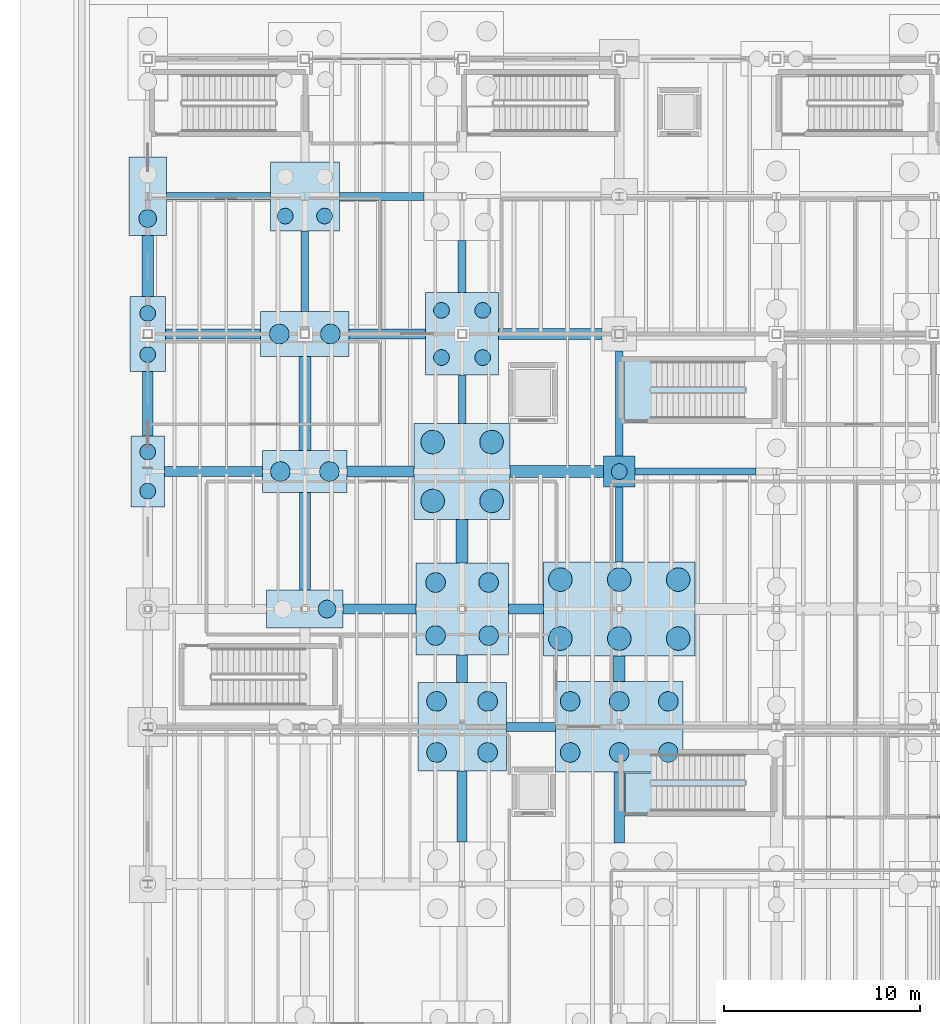
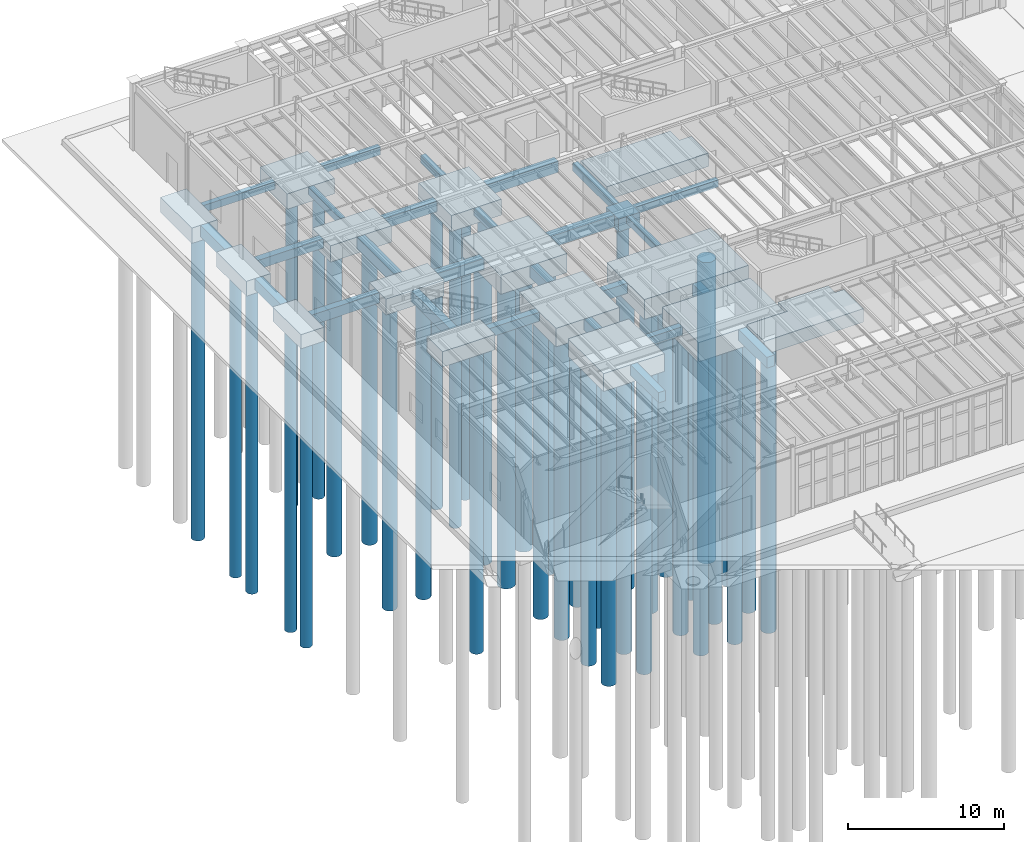
# One storey, part 3 of 86: 42 footings, 41 piles.
"""IFC4 building model written with IfcOpenShell, lengths in metres."""

from ifc_helpers import new_model, si_unit, direction, frame, origin, origin_2d, place, context, subcontext, project, spatial, polyline, rectangle, circle, outline, extrude, material, material_profile, profile_set, type_object, element, save


model = new_model("IFC4")

# Units and contexts
model_context = context("Model", 3, precision=1e-05, world=origin(), true_north=direction((0.0, 1.0)))
body_context = subcontext(model_context, "Body", "Model", "MODEL_VIEW")
ifc_project = project(units=[si_unit("LENGTHUNIT", "METRE"), si_unit("AREAUNIT", "SQUARE_METRE"), si_unit("VOLUMEUNIT", "CUBIC_METRE"), si_unit("PLANEANGLEUNIT", "RADIAN"), si_unit("MASSUNIT", "GRAM", prefix="KILO"), si_unit("THERMODYNAMICTEMPERATUREUNIT", "KELVIN"), si_unit("POWERUNIT", "WATT")], contexts=[model_context])

# Site, building, storey
site_placement = place(None, origin())
site = spatial("IfcSite", under=ifc_project, at=site_placement, CompositionType="ELEMENT")
building_placement = place(site_placement, origin())
building = spatial("IfcBuilding", under=site, at=building_placement, Name="Zhenchuan Central Fire Station", CompositionType="ELEMENT")
storey_placement = place(building_placement, frame((0.0, 0.0, 0.449951171875)))
storey = spatial("IfcBuildingStorey", under=building, at=storey_placement, Name="L01", CompositionType="ELEMENT", Elevation=0.449951171875)

# Footings
ifc_material_1 = material(Name="Concrete C35/45", Category="concrete")
footing_type_1 = type_object("IfcFootingType", Name="FB-380x550", PredefinedType="FOOTING_BEAM", material=ifc_material_1)
footing_1_placement = place(storey_placement, frame((0.0, 0.0, -1.0)))
element("IfcFooting", 1, at=footing_1_placement, inside=storey, type_object=footing_type_1, Name="Foundation Tie Beam FB-X-071", PredefinedType="FOOTING_BEAM", context=body_context, shape_type="SweptSolid", body=[
    extrude(outline(polyline([(24.800048828125, 35.31005859375), (30.949951171875, 35.31005859375), (30.949951171875, 35.68994140625), (24.800048828125, 35.68994140625), (24.800048828125, 35.31005859375)])), origin(), (0.0, 0.0, 1.0), 0.550048828125),
])
footing_2_placement = place(storey_placement, frame((0.0, 0.0, -1.0)))
element("IfcFooting", 2, at=footing_2_placement, inside=storey, type_object=footing_type_1, Name="Foundation Tie Beam FB-X-099", PredefinedType="FOOTING_BEAM", context=body_context, shape_type="SweptSolid", body=[
    extrude(outline(polyline([(0.949951171875, 49.31005859375), (6.25, 49.31005859375), (6.25, 49.68994140625), (0.949951171875, 49.68994140625), (0.949951171875, 49.31005859375)])), origin(), (0.0, 0.0, 1.0), 0.550048828125),
])
footing_3_placement = place(storey_placement, frame((0.0, 0.0, -1.0)))
element("IfcFooting", 3, at=footing_3_placement, inside=storey, type_object=footing_type_1, Name="Foundation Tie Beam FB-Y-134", PredefinedType="FOOTING_BEAM", context=body_context, shape_type="SweptSolid", body=[
    extrude(outline(polyline([(7.81005859375, 43.64990234375), (8.18994140625, 43.64990234375), (8.18994140625, 47.75), (7.81005859375, 47.75), (7.81005859375, 43.64990234375)])), origin(), (0.0, 0.0, 1.0), 0.550048828125),
])
footing_4_placement = place(storey_placement, frame((0.0, 0.0, -1.0)))
element("IfcFooting", 4, at=footing_4_placement, inside=storey, type_object=footing_type_1, Name="Foundation Tie Beam FB-Y-141", PredefinedType="FOOTING_BEAM", context=body_context, shape_type="SweptSolid", body=[
    extrude(outline(polyline([(15.81005859375, 37.949951171875), (16.18994140625, 37.949951171875), (16.18994140625, 40.39990234375), (15.81005859375, 40.39990234375), (15.81005859375, 37.949951171875)])), origin(), (0.0, 0.0, 1.0), 0.550048828125),
])
footing_5_placement = place(storey_placement, frame((0.0, 0.0, -1.0)))
element("IfcFooting", 5, at=footing_5_placement, inside=storey, type_object=footing_type_1, Name="Foundation Tie Beam FB-Y-148", PredefinedType="FOOTING_BEAM", context=body_context, shape_type="SweptSolid", body=[
    extrude(outline(polyline([(23.81005859375, 30.89990234375), (24.18994140625, 30.89990234375), (24.18994140625, 34.699951171875), (23.81005859375, 34.699951171875), (23.81005859375, 30.89990234375)])), origin(), (0.0, 0.0, 1.0), 0.550048828125),
])
footing_type_2 = type_object("IfcFootingType", Name="FB-400x600", PredefinedType="FOOTING_BEAM", material=ifc_material_1)
footing_6_placement = place(storey_placement, frame((0.0, 0.0, -1.050048828125)))
element("IfcFooting", 6, at=footing_6_placement, inside=storey, type_object=footing_type_2, Name="Foundation Tie Beam FB-X-100", PredefinedType="FOOTING_BEAM", context=body_context, shape_type="SweptSolid", body=[
    extrude(outline(polyline([(9.75, 49.300048828125), (14.050048828125, 49.300048828125), (14.050048828125, 49.699951171875), (9.75, 49.699951171875), (9.75, 49.300048828125)])), origin(), (0.0, 0.0, 1.0), 0.60009765625),
])
footing_7_placement = place(storey_placement, frame((0.0, 0.0, -1.050048828125)))
element("IfcFooting", 7, at=footing_7_placement, inside=storey, type_object=footing_type_2, Name="Foundation Tie Beam FB-Y-142", PredefinedType="FOOTING_BEAM", context=body_context, shape_type="SweptSolid", body=[
    extrude(outline(polyline([(15.800048828125, 44.60009765625), (16.199951171875, 44.60009765625), (16.199951171875, 47.25), (15.800048828125, 47.25), (15.800048828125, 44.60009765625)])), origin(), (0.0, 0.0, 1.0), 0.60009765625),
])
footing_8_placement = place(storey_placement, frame((0.0, 0.0, -1.050048828125)))
element("IfcFooting", 8, at=footing_8_placement, inside=storey, type_object=footing_type_2, Name="Foundation Tie Beam FB-Y-149", PredefinedType="FOOTING_BEAM", context=body_context, shape_type="SweptSolid", body=[
    extrude(outline(polyline([(23.800048828125, 36.300048828125), (24.199951171875, 36.300048828125), (24.199951171875, 41.625), (23.800048828125, 41.625), (23.800048828125, 36.300048828125)])), origin(), (0.0, 0.0, 1.0), 0.60009765625),
])
footing_type_3 = type_object("IfcFootingType", Name="FB-450x650", PredefinedType="FOOTING_BEAM", material=ifc_material_1)
footing_9_placement = place(storey_placement, frame((0.0, 0.0, -1.099853515625)))
element("IfcFooting", 9, at=footing_9_placement, inside=storey, type_object=footing_type_3, Name="Foundation Tie Beam FB-X-052", PredefinedType="FOOTING_BEAM", context=body_context, shape_type="SweptSolid", body=[
    extrude(outline(polyline([(18.25, 22.27490234375), (20.75, 22.27490234375), (20.75, 22.72509765625), (18.25, 22.72509765625), (18.25, 22.27490234375)])), origin(), (0.0, 0.0, 1.0), 0.64990234375),
])
footing_type_4 = type_object("IfcFootingType", Name="FB-500x700", PredefinedType="FOOTING_BEAM", material=ifc_material_1)
footing_10_placement = place(storey_placement, frame((0.0, 0.0, -1.14990234375)))
element("IfcFooting", 10, at=footing_10_placement, inside=storey, type_object=footing_type_4, Name="Foundation Tie Beam FB-X-060", PredefinedType="FOOTING_BEAM", context=body_context, shape_type="SweptSolid", body=[
    extrude(outline(polyline([(9.949951171875, 28.25), (13.64990234375, 28.25), (13.64990234375, 28.75), (9.949951171875, 28.75), (9.949951171875, 28.25)])), origin(), (0.0, 0.0, 1.0), 0.699951171875),
])
footing_11_placement = place(storey_placement, frame((0.0, 0.0, -1.14990234375)))
element("IfcFooting", 11, at=footing_11_placement, inside=storey, type_object=footing_type_4, Name="Foundation Tie Beam FB-X-088", PredefinedType="FOOTING_BEAM", context=body_context, shape_type="SweptSolid", body=[
    extrude(outline(polyline([(0.89990234375, 42.25), (5.75, 42.25), (5.75, 42.75), (0.89990234375, 42.75), (0.89990234375, 42.25)])), origin(), (0.0, 0.0, 1.0), 0.699951171875),
])
footing_type_5 = type_object("IfcFootingType", Name="FB-500x800", PredefinedType="FOOTING_BEAM", material=ifc_material_1)
footing_12_placement = place(storey_placement, frame((0.0, 0.0, -1.25)))
element("IfcFooting", 12, at=footing_12_placement, inside=storey, type_object=footing_type_5, Name="Foundation Tie Beam FB-X-061", PredefinedType="FOOTING_BEAM", context=body_context, shape_type="SweptSolid", body=[
    extrude(outline(polyline([(18.35009765625, 28.25), (20.14990234375, 28.25), (20.14990234375, 28.75), (18.35009765625, 28.75), (18.35009765625, 28.25)])), origin(), (0.0, 0.0, 1.0), 0.800048828125),
])
footing_13_placement = place(storey_placement, frame((0.0, 0.0, -1.25)))
element("IfcFooting", 13, at=footing_13_placement, inside=storey, type_object=footing_type_5, Name="Foundation Tie Beam FB-X-068", PredefinedType="FOOTING_BEAM", context=body_context, shape_type="SweptSolid", body=[
    extrude(outline(polyline([(0.85009765625, 35.25), (5.85009765625, 35.25), (5.85009765625, 35.75), (0.85009765625, 35.75), (0.85009765625, 35.25)])), origin(), (0.0, 0.0, 1.0), 0.800048828125),
])
footing_14_placement = place(storey_placement, frame((0.0, 0.0, -1.25)))
element("IfcFooting", 14, at=footing_14_placement, inside=storey, type_object=footing_type_5, Name="Foundation Tie Beam FB-X-089", PredefinedType="FOOTING_BEAM", context=body_context, shape_type="SweptSolid", body=[
    extrude(outline(polyline([(10.25, 42.25), (14.14990234375, 42.25), (14.14990234375, 42.75), (10.25, 42.75), (10.25, 42.25)])), origin(), (0.0, 0.0, 1.0), 0.800048828125),
])
footing_15_placement = place(storey_placement, frame((0.0, 0.0, -1.25)))
element("IfcFooting", 15, at=footing_15_placement, inside=storey, type_object=footing_type_5, Name="Foundation Tie Beam FB-Y-138", PredefinedType="FOOTING_BEAM", context=body_context, shape_type="SweptSolid", body=[
    extrude(outline(polyline([(15.75, 16.64990234375), (16.25, 16.64990234375), (16.25, 20.25), (15.75, 20.25), (15.75, 16.64990234375)])), origin(), (0.0, 0.0, 1.0), 0.800048828125),
])
footing_type_6 = type_object("IfcFootingType", Name="FB-550x850", PredefinedType="FOOTING_BEAM", material=ifc_material_1)
footing_16_placement = place(storey_placement, frame((0.0, 0.0, -1.300048828125)))
element("IfcFooting", 16, at=footing_16_placement, inside=storey, type_object=footing_type_6, Name="Foundation Tie Beam FB-X-069", PredefinedType="FOOTING_BEAM", context=body_context, shape_type="SweptSolid", body=[
    extrude(outline(polyline([(10.14990234375, 35.22509765625), (13.550048828125, 35.22509765625), (13.550048828125, 35.77490234375), (10.14990234375, 35.77490234375), (10.14990234375, 35.22509765625)])), origin(), (0.0, 0.0, 1.0), 0.85009765625),
])
footing_17_placement = place(storey_placement, frame((0.0, 0.0, -1.300048828125)))
element("IfcFooting", 17, at=footing_17_placement, inside=storey, type_object=footing_type_6, Name="Foundation Tie Beam FB-X-090", PredefinedType="FOOTING_BEAM", context=body_context, shape_type="SweptSolid", body=[
    extrude(outline(polyline([(17.85009765625, 42.22509765625), (23.125, 42.22509765625), (23.125, 42.77490234375), (17.85009765625, 42.77490234375), (17.85009765625, 42.22509765625)])), origin(), (0.0, 0.0, 1.0), 0.85009765625),
])
footing_18_placement = place(storey_placement, frame((0.0, 0.0, -1.300048828125)))
element("IfcFooting", 18, at=footing_18_placement, inside=storey, type_object=footing_type_6, Name="Foundation Tie Beam FB-Y-125", PredefinedType="FOOTING_BEAM", context=body_context, shape_type="SweptSolid", body=[
    extrude(outline(polyline([(-0.27490234375, 37.300048828125), (0.27490234375, 37.300048828125), (0.27490234375, 40.60009765625), (-0.27490234375, 40.60009765625), (-0.27490234375, 37.300048828125)])), origin(), (0.0, 0.0, 1.0), 0.85009765625),
])
footing_19_placement = place(storey_placement, frame((0.0, 0.0, -1.300048828125)))
element("IfcFooting", 19, at=footing_19_placement, inside=storey, type_object=footing_type_6, Name="Foundation Tie Beam FB-Y-132", PredefinedType="FOOTING_BEAM", context=body_context, shape_type="SweptSolid", body=[
    extrude(outline(polyline([(7.72509765625, 29.47509765625), (8.27490234375, 29.47509765625), (8.27490234375, 34.425048828125), (7.72509765625, 34.425048828125), (7.72509765625, 29.47509765625)])), origin(), (0.0, 0.0, 1.0), 0.85009765625),
])
footing_20_placement = place(storey_placement, frame((0.0, 0.0, -1.300048828125)))
element("IfcFooting", 20, at=footing_20_placement, inside=storey, type_object=footing_type_6, Name="Foundation Tie Beam FB-Y-139", PredefinedType="FOOTING_BEAM", context=body_context, shape_type="SweptSolid", body=[
    extrude(outline(polyline([(15.72509765625, 24.75), (16.27490234375, 24.75), (16.27490234375, 26.14990234375), (15.72509765625, 26.14990234375), (15.72509765625, 24.75)])), origin(), (0.0, 0.0, 1.0), 0.85009765625),
])
footing_21_placement = place(storey_placement, frame((0.0, 0.0, -1.300048828125)))
element("IfcFooting", 21, at=footing_21_placement, inside=storey, type_object=footing_type_6, Name="Foundation Tie Beam FB-Y-146", PredefinedType="FOOTING_BEAM", context=body_context, shape_type="SweptSolid", body=[
    extrude(outline(polyline([(23.72509765625, 16.60009765625), (24.27490234375, 16.60009765625), (24.27490234375, 20.199951171875), (23.72509765625, 20.199951171875), (23.72509765625, 16.60009765625)])), origin(), (0.0, 0.0, 1.0), 0.85009765625),
])
footing_type_7 = type_object("IfcFootingType", Name="FB-600x900", PredefinedType="FOOTING_BEAM", material=ifc_material_1)
footing_22_placement = place(storey_placement, frame((0.0, 0.0, -1.349853515625)))
element("IfcFooting", 22, at=footing_22_placement, inside=storey, type_object=footing_type_7, Name="Foundation Tie Beam FB-X-070", PredefinedType="FOOTING_BEAM", context=body_context, shape_type="SweptSolid", body=[
    extrude(outline(polyline([(18.449951171875, 35.199951171875), (23.199951171875, 35.199951171875), (23.199951171875, 35.800048828125), (18.449951171875, 35.800048828125), (18.449951171875, 35.199951171875)])), origin(), (0.0, 0.0, 1.0), 0.89990234375),
])
footing_23_placement = place(storey_placement, frame((0.0, 0.0, -1.349853515625)))
element("IfcFooting", 23, at=footing_23_placement, inside=storey, type_object=footing_type_7, Name="Foundation Tie Beam FB-Y-126", PredefinedType="FOOTING_BEAM", context=body_context, shape_type="SweptSolid", body=[
    extrude(outline(polyline([(-0.300048828125, 44.39990234375), (0.300048828125, 44.39990234375), (0.300048828125, 47.5), (-0.300048828125, 47.5), (-0.300048828125, 44.39990234375)])), origin(), (0.0, 0.0, 1.0), 0.89990234375),
])
footing_24_placement = place(storey_placement, frame((0.0, 0.0, -1.349853515625)))
element("IfcFooting", 24, at=footing_24_placement, inside=storey, type_object=footing_type_7, Name="Foundation Tie Beam FB-Y-133", PredefinedType="FOOTING_BEAM", context=body_context, shape_type="SweptSolid", body=[
    extrude(outline(polyline([(7.699951171875, 36.574951171875), (8.300048828125, 36.574951171875), (8.300048828125, 41.35009765625), (7.699951171875, 41.35009765625), (7.699951171875, 36.574951171875)])), origin(), (0.0, 0.0, 1.0), 0.89990234375),
])
footing_25_placement = place(storey_placement, frame((0.0, 0.0, -1.349853515625)))
element("IfcFooting", 25, at=footing_25_placement, inside=storey, type_object=footing_type_7, Name="Foundation Tie Beam FB-Y-140", PredefinedType="FOOTING_BEAM", context=body_context, shape_type="SweptSolid", body=[
    extrude(outline(polyline([(15.699951171875, 30.85009765625), (16.300048828125, 30.85009765625), (16.300048828125, 33.050048828125), (15.699951171875, 33.050048828125), (15.699951171875, 30.85009765625)])), origin(), (0.0, 0.0, 1.0), 0.89990234375),
])
footing_26_placement = place(storey_placement, frame((0.0, 0.0, -1.349853515625)))
element("IfcFooting", 26, at=footing_26_placement, inside=storey, type_object=footing_type_7, Name="Foundation Tie Beam FB-Y-147", PredefinedType="FOOTING_BEAM", context=body_context, shape_type="SweptSolid", body=[
    extrude(outline(polyline([(23.699951171875, 24.800048828125), (24.300048828125, 24.800048828125), (24.300048828125, 26.10009765625), (23.699951171875, 26.10009765625), (23.699951171875, 24.800048828125)])), origin(), (0.0, 0.0, 1.0), 0.89990234375),
])
ifc_material_2 = material(Name="Concrete C40/50", Category="concrete")
footing_type_8 = type_object("IfcFootingType", Name="PAD-CORE", PredefinedType="PAD_FOOTING", material=ifc_material_2)
footing_27_placement = place(storey_placement, frame((0.0, 0.0, -1.300048828125)))
element("IfcFooting", 27, at=footing_27_placement, inside=storey, type_object=footing_type_8, Name="ST-02 Core Foundation Mat Footing", PredefinedType="PAD_FOOTING", context=body_context, shape_type="SweptSolid", body=[
    extrude(outline(polyline([(31.010009765625, 21.324951171875), (31.010009765625, 20.4599609375), (31.659912109375, 20.4599609375), (31.659912109375, 17.97509765625), (24.31494140625, 17.97509765625), (24.31494140625, 20.159912109375), (27.2900390625, 20.159912109375), (27.2900390625, 21.324951171875), (31.010009765625, 21.324951171875)])), origin(), (0.0, 0.0, 1.0), 1.050048828125),
])
footing_28_placement = place(storey_placement, frame((0.0, 0.0, -1.300048828125)))
element("IfcFooting", 28, at=footing_28_placement, inside=storey, type_object=footing_type_8, Name="ST-04 Core Foundation Mat Footing", PredefinedType="PAD_FOOTING", context=body_context, shape_type="SweptSolid", body=[
    extrude(outline(polyline([(30.860107421875, 41.324951171875), (30.860107421875, 40.159912109375), (31.735107421875, 40.159912109375), (31.735107421875, 37.97509765625), (24.239990234375, 37.97509765625), (24.239990234375, 41.324951171875), (30.860107421875, 41.324951171875)])), origin(), (0.0, 0.0, 1.0), 1.050048828125),
])
footing_type_9 = type_object("IfcFootingType", Name="PC-01", PredefinedType="PILE_CAP", material=ifc_material_2)
footing_29_placement = place(storey_placement, frame((24.0, 35.5, -1.449951171875), z_axis=(0.0, 0.0, 1.0), x_axis=(1.0, 0.0, 0.0)))
element("IfcFooting", 29, at=footing_29_placement, inside=storey, type_object=footing_type_9, Name="Pile Cap PC-01 at (24.0,35.5)", PredefinedType="PILE_CAP", context=body_context, shape_type="SweptSolid", body=[
    extrude(rectangle(XDim=1.60009765625, YDim=1.60009765625, at=origin_2d()), origin(), (0.0, 0.0, 1.0), 1.0),
])
footing_type_10 = type_object("IfcFootingType", Name="PC-06", PredefinedType="PILE_CAP", material=ifc_material_2)
footing_30_placement = place(storey_placement, frame((0.0, 35.5, -1.550048828125), z_axis=(0.0, 0.0, 1.0), x_axis=(1.0, 0.0, 0.0)))
element("IfcFooting", 30, at=footing_30_placement, inside=storey, type_object=footing_type_10, Name="Pile Cap PC-06 at (0.0,35.5)", PredefinedType="PILE_CAP", context=body_context, shape_type="SweptSolid", body=[
    extrude(rectangle(XDim=1.699951171875, YDim=3.60009765625, at=origin_2d()), origin(), (0.0, 0.0, 1.0), 1.10009765625),
])
footing_type_11 = type_object("IfcFootingType", Name="PC-07", PredefinedType="PILE_CAP", material=ifc_material_2)
footing_31_placement = place(storey_placement, frame((0.0, 42.5, -1.599853515625), z_axis=(0.0, 0.0, 1.0), x_axis=(1.0, 0.0, 0.0)))
element("IfcFooting", 31, at=footing_31_placement, inside=storey, type_object=footing_type_11, Name="Pile Cap PC-07 at (0.0,42.5)", PredefinedType="PILE_CAP", context=body_context, shape_type="SweptSolid", body=[
    extrude(rectangle(XDim=1.800048828125, YDim=3.800048828125, at=origin_2d()), origin(), (0.0, 0.0, 1.0), 1.14990234375),
])
footing_type_12 = type_object("IfcFootingType", Name="PC-08", PredefinedType="PILE_CAP", material=ifc_material_2)
footing_32_placement = place(storey_placement, frame((0.0, 49.5, -1.64990234375), z_axis=(0.0, 0.0, 1.0), x_axis=(1.0, 0.0, 0.0)))
element("IfcFooting", 32, at=footing_32_placement, inside=storey, type_object=footing_type_12, Name="Pile Cap PC-08 at (0.0,49.5)", PredefinedType="PILE_CAP", context=body_context, shape_type="SweptSolid", body=[
    extrude(rectangle(XDim=1.89990234375, YDim=4.0, at=origin_2d()), origin(), (0.0, 0.0, 1.0), 1.199951171875),
])
footing_type_13 = type_object("IfcFootingType", Name="PC-14", PredefinedType="PILE_CAP", material=ifc_material_2)
footing_33_placement = place(storey_placement, frame((8.0, 28.5, -1.64990234375), z_axis=(0.0, 0.0, 1.0), x_axis=(1.0, 0.0, 0.0)))
element("IfcFooting", 33, at=footing_33_placement, inside=storey, type_object=footing_type_13, Name="Pile Cap PC-14 at (8.0,28.5)", PredefinedType="PILE_CAP", context=body_context, shape_type="SweptSolid", body=[
    extrude(rectangle(XDim=3.89990234375, YDim=1.949951171875, at=origin_2d()), origin(), (0.0, 0.0, 1.0), 1.199951171875),
])
footing_type_14 = type_object("IfcFootingType", Name="PC-15", PredefinedType="PILE_CAP", material=ifc_material_2)
footing_34_placement = place(storey_placement, frame((8.0, 35.5, -1.699951171875), z_axis=(0.0, 0.0, 1.0), x_axis=(1.0, 0.0, 0.0)))
element("IfcFooting", 34, at=footing_34_placement, inside=storey, type_object=footing_type_14, Name="Pile Cap PC-15 at (8.0,35.5)", PredefinedType="PILE_CAP", context=body_context, shape_type="SweptSolid", body=[
    extrude(rectangle(XDim=4.300048828125, YDim=2.14990234375, at=origin_2d()), origin(), (0.0, 0.0, 1.0), 1.25),
])
footing_type_15 = type_object("IfcFootingType", Name="PC-16", PredefinedType="PILE_CAP", material=ifc_material_2)
footing_35_placement = place(storey_placement, frame((8.0, 42.5, -1.72998046875), z_axis=(0.0, 0.0, 1.0), x_axis=(1.0, 0.0, 0.0)))
element("IfcFooting", 35, at=footing_35_placement, inside=storey, type_object=footing_type_15, Name="Pile Cap PC-16 at (8.0,42.5)", PredefinedType="PILE_CAP", context=body_context, shape_type="SweptSolid", body=[
    extrude(rectangle(XDim=4.5, YDim=2.300048828125, at=origin_2d()), origin(), (0.0, 0.0, 1.0), 1.280029296875),
])
footing_type_16 = type_object("IfcFootingType", Name="PC-17", PredefinedType="PILE_CAP", material=ifc_material_2)
footing_36_placement = place(storey_placement, frame((8.0, 49.5, -1.64990234375), z_axis=(0.0, 0.0, 1.0), x_axis=(1.0, 0.0, 0.0)))
element("IfcFooting", 36, at=footing_36_placement, inside=storey, type_object=footing_type_16, Name="Pile Cap PC-17 at (8.0,49.5)", PredefinedType="PILE_CAP", context=body_context, shape_type="SweptSolid", body=[
    extrude(rectangle(XDim=3.5, YDim=3.5, at=origin_2d()), origin(), (0.0, 0.0, 1.0), 1.199951171875),
])
footing_type_17 = type_object("IfcFootingType", Name="PC-22", PredefinedType="PILE_CAP", material=ifc_material_2)
footing_37_placement = place(storey_placement, frame((16.0, 22.5, -1.849853515625), z_axis=(0.0, 0.0, 1.0), x_axis=(1.0, 0.0, 0.0)))
element("IfcFooting", 37, at=footing_37_placement, inside=storey, type_object=footing_type_17, Name="Pile Cap PC-22 at (16.0,22.5)", PredefinedType="PILE_CAP", context=body_context, shape_type="SweptSolid", body=[
    extrude(rectangle(XDim=4.5, YDim=4.5, at=origin_2d()), origin(), (0.0, 0.0, 1.0), 1.39990234375),
])
footing_type_18 = type_object("IfcFootingType", Name="PC-23", PredefinedType="PILE_CAP", material=ifc_material_2)
footing_38_placement = place(storey_placement, frame((16.0, 28.5, -1.89990234375), z_axis=(0.0, 0.0, 1.0), x_axis=(1.0, 0.0, 0.0)))
element("IfcFooting", 38, at=footing_38_placement, inside=storey, type_object=footing_type_18, Name="Pile Cap PC-23 at (16.0,28.5)", PredefinedType="PILE_CAP", context=body_context, shape_type="SweptSolid", body=[
    extrude(rectangle(XDim=4.699951171875, YDim=4.699951171875, at=origin_2d()), origin(), (0.0, 0.0, 1.0), 1.449951171875),
])
footing_type_19 = type_object("IfcFootingType", Name="PC-24", PredefinedType="PILE_CAP", material=ifc_material_2)
footing_39_placement = place(storey_placement, frame((16.0, 35.5, -1.949951171875), z_axis=(0.0, 0.0, 1.0), x_axis=(1.0, 0.0, 0.0)))
element("IfcFooting", 39, at=footing_39_placement, inside=storey, type_object=footing_type_19, Name="Pile Cap PC-24 at (16.0,35.5)", PredefinedType="PILE_CAP", context=body_context, shape_type="SweptSolid", body=[
    extrude(rectangle(XDim=4.89990234375, YDim=4.89990234375, at=origin_2d()), origin(), (0.0, 0.0, 1.0), 1.5),
])
footing_type_20 = type_object("IfcFootingType", Name="PC-25", PredefinedType="PILE_CAP", material=ifc_material_2)
footing_40_placement = place(storey_placement, frame((16.0, 42.5, -1.699951171875), z_axis=(0.0, 0.0, 1.0), x_axis=(1.0, 0.0, 0.0)))
element("IfcFooting", 40, at=footing_40_placement, inside=storey, type_object=footing_type_20, Name="Pile Cap PC-25 at (16.0,42.5)", PredefinedType="PILE_CAP", context=body_context, shape_type="SweptSolid", body=[
    extrude(rectangle(XDim=3.699951171875, YDim=4.199951171875, at=origin_2d()), origin(), (0.0, 0.0, 1.0), 1.25),
])
footing_type_21 = type_object("IfcFootingType", Name="PC-31", PredefinedType="PILE_CAP", material=ifc_material_2)
footing_41_placement = place(storey_placement, frame((24.0, 22.5, -1.949951171875), z_axis=(0.0, 0.0, 1.0), x_axis=(1.0, 0.0, 0.0)))
element("IfcFooting", 41, at=footing_41_placement, inside=storey, type_object=footing_type_21, Name="Pile Cap PC-31 at (24.0,22.5)", PredefinedType="PILE_CAP", context=body_context, shape_type="SweptSolid", body=[
    extrude(rectangle(XDim=6.5, YDim=4.60009765625, at=origin_2d()), origin(), (0.0, 0.0, 1.0), 1.5),
])
footing_type_22 = type_object("IfcFootingType", Name="PC-32", PredefinedType="PILE_CAP", material=ifc_material_2)
footing_42_placement = place(storey_placement, frame((24.0, 28.5, -2.0), z_axis=(0.0, 0.0, 1.0), x_axis=(1.0, 0.0, 0.0)))
element("IfcFooting", 42, at=footing_42_placement, inside=storey, type_object=footing_type_22, Name="Pile Cap PC-32 at (24.0,28.5)", PredefinedType="PILE_CAP", context=body_context, shape_type="SweptSolid", body=[
    extrude(rectangle(XDim=7.699951171875, YDim=4.800048828125, at=origin_2d()), origin(), (0.0, 0.0, 1.0), 1.550048828125),
])

# Piles
ifc_material_profile_1 = material_profile(ifc_material_1, circle(Radius=0.5, at=origin_2d()), Name="PILE D1000")
ifc_profile_set_1 = profile_set([ifc_material_profile_1], Name="Concrete C35/45")
pile_type_1 = type_object("IfcPileType", Name="PILE-D1000", PredefinedType="BORED", material=ifc_profile_set_1)
for number, where, z_axis, x_axis, name in (
    (43, (6.75, 35.5, -1.599853515625), (0.0, 0.0, -1.0), (1.0, 0.0, 0.0), "Bored Pile 015-1"),
    (44, (9.25, 35.5, -1.599853515625), (0.0, 0.0, -1.0), (1.0, 0.0, 0.0), "Bored Pile 015-2"),
):
    element("IfcPile", number, at=place(storey_placement, frame(where, z_axis=z_axis, x_axis=x_axis)), inside=storey, type_object=pile_type_1, Name=name, PredefinedType="BORED", context=body_context, shape_type="SweptSolid", body=[
        extrude(circle(Radius=0.5, at=origin_2d()), origin(), (0.0, 0.0, 1.0), 23.85009765625),
    ])
for number, where, z_axis, x_axis, name in (
    (45, (6.699951171875, 42.5, -1.6298828125), (0.0, 0.0, -1.0), (1.0, 0.0, 0.0), "Bored Pile 016-1"),
    (46, (9.300048828125, 42.5, -1.6298828125), (0.0, 0.0, -1.0), (1.0, 0.0, 0.0), "Bored Pile 016-2"),
):
    element("IfcPile", number, at=place(storey_placement, frame(where, z_axis=z_axis, x_axis=x_axis)), inside=storey, type_object=pile_type_1, Name=name, PredefinedType="BORED", context=body_context, shape_type="SweptSolid", body=[
        extrude(circle(Radius=0.5, at=origin_2d()), origin(), (0.0, 0.0, 1.0), 23.820068359375),
    ])
for number, where, z_axis, x_axis, name in (
    (47, (14.699951171875, 21.199951171875, -1.75), (0.0, 0.0, -1.0), (1.0, 0.0, 0.0), "Bored Pile 022-1"),
    (48, (17.300048828125, 21.199951171875, -1.75), (0.0, 0.0, -1.0), (1.0, 0.0, 0.0), "Bored Pile 022-2"),
    (49, (14.699951171875, 23.800048828125, -1.75), (0.0, 0.0, -1.0), (1.0, 0.0, 0.0), "Bored Pile 022-3"),
    (50, (17.300048828125, 23.800048828125, -1.75), (0.0, 0.0, -1.0), (1.0, 0.0, 0.0), "Bored Pile 022-4"),
):
    element("IfcPile", number, at=place(storey_placement, frame(where, z_axis=z_axis, x_axis=x_axis)), inside=storey, type_object=pile_type_1, Name=name, PredefinedType="BORED", context=body_context, shape_type="SweptSolid", body=[
        extrude(circle(Radius=0.5, at=origin_2d()), origin(), (0.0, 0.0, 1.0), 23.699951171875),
    ])
for number, where, z_axis, x_axis, name in (
    (51, (14.64990234375, 27.14990234375, -1.800048828125), (0.0, 0.0, -1.0), (1.0, 0.0, 0.0), "Bored Pile 023-1"),
    (52, (17.35009765625, 27.14990234375, -1.800048828125), (0.0, 0.0, -1.0), (1.0, 0.0, 0.0), "Bored Pile 023-2"),
    (53, (14.64990234375, 29.85009765625, -1.800048828125), (0.0, 0.0, -1.0), (1.0, 0.0, 0.0), "Bored Pile 023-3"),
    (54, (17.35009765625, 29.85009765625, -1.800048828125), (0.0, 0.0, -1.0), (1.0, 0.0, 0.0), "Bored Pile 023-4"),
):
    element("IfcPile", number, at=place(storey_placement, frame(where, z_axis=z_axis, x_axis=x_axis)), inside=storey, type_object=pile_type_1, Name=name, PredefinedType="BORED", context=body_context, shape_type="SweptSolid", body=[
        extrude(circle(Radius=0.5, at=origin_2d()), origin(), (0.0, 0.0, 1.0), 23.64990234375),
    ])
for number, where, z_axis, x_axis, name in (
    (55, (21.5, 21.199951171875, -1.849853515625), (0.0, 0.0, -1.0), (1.0, 0.0, 0.0), "Bored Pile 031-1"),
    (56, (24.0, 21.199951171875, -1.849853515625), (0.0, 0.0, -1.0), (1.0, 0.0, 0.0), "Bored Pile 031-2"),
    (57, (26.5, 21.199951171875, -1.849853515625), (0.0, 0.0, -1.0), (1.0, 0.0, 0.0), "Bored Pile 031-3"),
    (58, (21.5, 23.800048828125, -1.849853515625), (0.0, 0.0, -1.0), (1.0, 0.0, 0.0), "Bored Pile 031-4"),
    (59, (24.0, 23.800048828125, -1.849853515625), (0.0, 0.0, -1.0), (1.0, 0.0, 0.0), "Bored Pile 031-5"),
    (60, (26.5, 23.800048828125, -1.849853515625), (0.0, 0.0, -1.0), (1.0, 0.0, 0.0), "Bored Pile 031-6"),
):
    element("IfcPile", number, at=place(storey_placement, frame(where, z_axis=z_axis, x_axis=x_axis)), inside=storey, type_object=pile_type_1, Name=name, PredefinedType="BORED", context=body_context, shape_type="SweptSolid", body=[
        extrude(circle(Radius=0.5, at=origin_2d()), origin(), (0.0, 0.0, 1.0), 23.60009765625),
    ])
ifc_material_profile_2 = material_profile(ifc_material_1, circle(Radius=0.60009765625, at=origin_2d()), Name="PILE D1200")
ifc_profile_set_2 = profile_set([ifc_material_profile_2], Name="Concrete C35/45")
pile_type_2 = type_object("IfcPileType", Name="PILE-D1200", PredefinedType="BORED", material=ifc_profile_set_2)
for number, where, z_axis, x_axis, name in (
    (61, (14.5, 34.0, -1.849853515625), (0.0, 0.0, -1.0), (1.0, 0.0, 0.0), "Bored Pile 024-1"),
    (62, (17.5, 34.0, -1.849853515625), (0.0, 0.0, -1.0), (1.0, 0.0, 0.0), "Bored Pile 024-2"),
    (63, (14.5, 37.0, -1.849853515625), (0.0, 0.0, -1.0), (1.0, 0.0, 0.0), "Bored Pile 024-3"),
    (64, (17.5, 37.0, -1.849853515625), (0.0, 0.0, -1.0), (1.0, 0.0, 0.0), "Bored Pile 024-4"),
):
    element("IfcPile", number, at=place(storey_placement, frame(where, z_axis=z_axis, x_axis=x_axis)), inside=storey, type_object=pile_type_2, Name=name, PredefinedType="BORED", context=body_context, shape_type="SweptSolid", body=[
        extrude(circle(Radius=0.60009765625, at=origin_2d()), origin(), (0.0, 0.0, 1.0), 23.60009765625),
    ])
for number, where, z_axis, x_axis, name in (
    (65, (21.0, 27.0, -1.89990234375), (0.0, 0.0, -1.0), (1.0, 0.0, 0.0), "Bored Pile 032-1"),
    (66, (24.0, 27.0, -1.89990234375), (0.0, 0.0, -1.0), (1.0, 0.0, 0.0), "Bored Pile 032-2"),
    (67, (27.0, 27.0, -1.89990234375), (0.0, 0.0, -1.0), (1.0, 0.0, 0.0), "Bored Pile 032-3"),
    (68, (21.0, 30.0, -1.89990234375), (0.0, 0.0, -1.0), (1.0, 0.0, 0.0), "Bored Pile 032-4"),
    (69, (24.0, 30.0, -1.89990234375), (0.0, 0.0, -1.0), (1.0, 0.0, 0.0), "Bored Pile 032-5"),
    (70, (27.0, 30.0, -1.89990234375), (0.0, 0.0, -1.0), (1.0, 0.0, 0.0), "Bored Pile 032-6"),
):
    element("IfcPile", number, at=place(storey_placement, frame(where, z_axis=z_axis, x_axis=x_axis)), inside=storey, type_object=pile_type_2, Name=name, PredefinedType="BORED", context=body_context, shape_type="SweptSolid", body=[
        extrude(circle(Radius=0.60009765625, at=origin_2d()), origin(), (0.0, 0.0, 1.0), 23.550048828125),
    ])
ifc_material_profile_3 = material_profile(ifc_material_1, circle(Radius=0.39990234375, at=origin_2d()), Name="PILE D800")
ifc_profile_set_3 = profile_set([ifc_material_profile_3], Name="Concrete C35/45")
pile_type_3 = type_object("IfcPileType", Name="PILE-D800", PredefinedType="BORED", material=ifc_profile_set_3)
for number, where, z_axis, x_axis, name in (
    (71, (0.0, 34.5, -1.449951171875), (0.0, 0.0, -1.0), (1.0, 0.0, 0.0), "Bored Pile 006-1"),
    (72, (0.0, 36.5, -1.449951171875), (0.0, 0.0, -1.0), (1.0, 0.0, 0.0), "Bored Pile 006-2"),
):
    element("IfcPile", number, at=place(storey_placement, frame(where, z_axis=z_axis, x_axis=x_axis)), inside=storey, type_object=pile_type_3, Name=name, PredefinedType="BORED", context=body_context, shape_type="SweptSolid", body=[
        extrude(circle(Radius=0.39990234375, at=origin_2d()), origin(), (0.0, 0.0, 1.0), 24.0),
    ])
for number, where, z_axis, x_axis, name in (
    (73, (0.0, 41.449951171875, -1.5), (0.0, 0.0, -1.0), (1.0, 0.0, 0.0), "Bored Pile 007-1"),
    (74, (0.0, 43.550048828125, -1.5), (0.0, 0.0, -1.0), (1.0, 0.0, 0.0), "Bored Pile 007-2"),
):
    element("IfcPile", number, at=place(storey_placement, frame(where, z_axis=z_axis, x_axis=x_axis)), inside=storey, type_object=pile_type_3, Name=name, PredefinedType="BORED", context=body_context, shape_type="SweptSolid", body=[
        extrude(circle(Radius=0.39990234375, at=origin_2d()), origin(), (0.0, 0.0, 1.0), 23.949951171875),
    ])
for number, where, z_axis, x_axis, name in (
    (75, (7.0, 48.5, -1.550048828125), (0.0, 0.0, -1.0), (1.0, 0.0, 0.0), "Bored Pile 017-1"),
    (76, (9.0, 48.5, -1.550048828125), (0.0, 0.0, -1.0), (1.0, 0.0, 0.0), "Bored Pile 017-2"),
):
    element("IfcPile", number, at=place(storey_placement, frame(where, z_axis=z_axis, x_axis=x_axis)), inside=storey, type_object=pile_type_3, Name=name, PredefinedType="BORED", context=body_context, shape_type="SweptSolid", body=[
        extrude(circle(Radius=0.39990234375, at=origin_2d()), origin(), (0.0, 0.0, 1.0), 23.89990234375),
    ])
for number, where, z_axis, x_axis, name in (
    (77, (14.949951171875, 41.300048828125, -1.599853515625), (0.0, 0.0, -1.0), (1.0, 0.0, 0.0), "Bored Pile 025-1"),
    (78, (17.050048828125, 41.300048828125, -1.599853515625), (0.0, 0.0, -1.0), (1.0, 0.0, 0.0), "Bored Pile 025-2"),
    (79, (14.949951171875, 43.699951171875, -1.599853515625), (0.0, 0.0, -1.0), (1.0, 0.0, 0.0), "Bored Pile 025-3"),
    (80, (17.050048828125, 43.699951171875, -1.599853515625), (0.0, 0.0, -1.0), (1.0, 0.0, 0.0), "Bored Pile 025-4"),
):
    element("IfcPile", number, at=place(storey_placement, frame(where, z_axis=z_axis, x_axis=x_axis)), inside=storey, type_object=pile_type_3, Name=name, PredefinedType="BORED", context=body_context, shape_type="SweptSolid", body=[
        extrude(circle(Radius=0.39990234375, at=origin_2d()), origin(), (0.0, 0.0, 1.0), 23.85009765625),
    ])
pile_placement = place(storey_placement, frame((24.0, 35.5, -1.349853515625), z_axis=(0.0, 0.0, -1.0), x_axis=(1.0, 0.0, 0.0)))
element("IfcPile", 81, at=pile_placement, inside=storey, type_object=pile_type_3, Name="Bored Pile 033-1", PredefinedType="BORED", context=body_context, shape_type="SweptSolid", body=[
    extrude(circle(Radius=0.39990234375, at=origin_2d()), origin(), (0.0, 0.0, 1.0), 24.10009765625),
])
ifc_material_profile_4 = material_profile(ifc_material_1, circle(Radius=0.449951171875, at=origin_2d()), Name="PILE D900")
ifc_profile_set_4 = profile_set([ifc_material_profile_4], Name="Concrete C35/45")
pile_type_4 = type_object("IfcPileType", Name="PILE-D900", PredefinedType="BORED", material=ifc_profile_set_4)
for number, where, z_axis, x_axis, name in (
    (82, (0.0, 48.375, -1.550048828125), (0.0, 0.0, -1.0), (1.0, 0.0, 0.0), "Bored Pile 008-1"),
    (83, (9.125, 28.5, -1.550048828125), (0.0, 0.0, -1.0), (1.0, 0.0, 0.0), "Bored Pile 014-2"),
):
    element("IfcPile", number, at=place(storey_placement, frame(where, z_axis=z_axis, x_axis=x_axis)), inside=storey, type_object=pile_type_4, Name=name, PredefinedType="BORED", context=body_context, shape_type="SweptSolid", body=[
        extrude(circle(Radius=0.449951171875, at=origin_2d()), origin(), (0.0, 0.0, 1.0), 23.89990234375),
    ])

save(model, "model.ifc")
